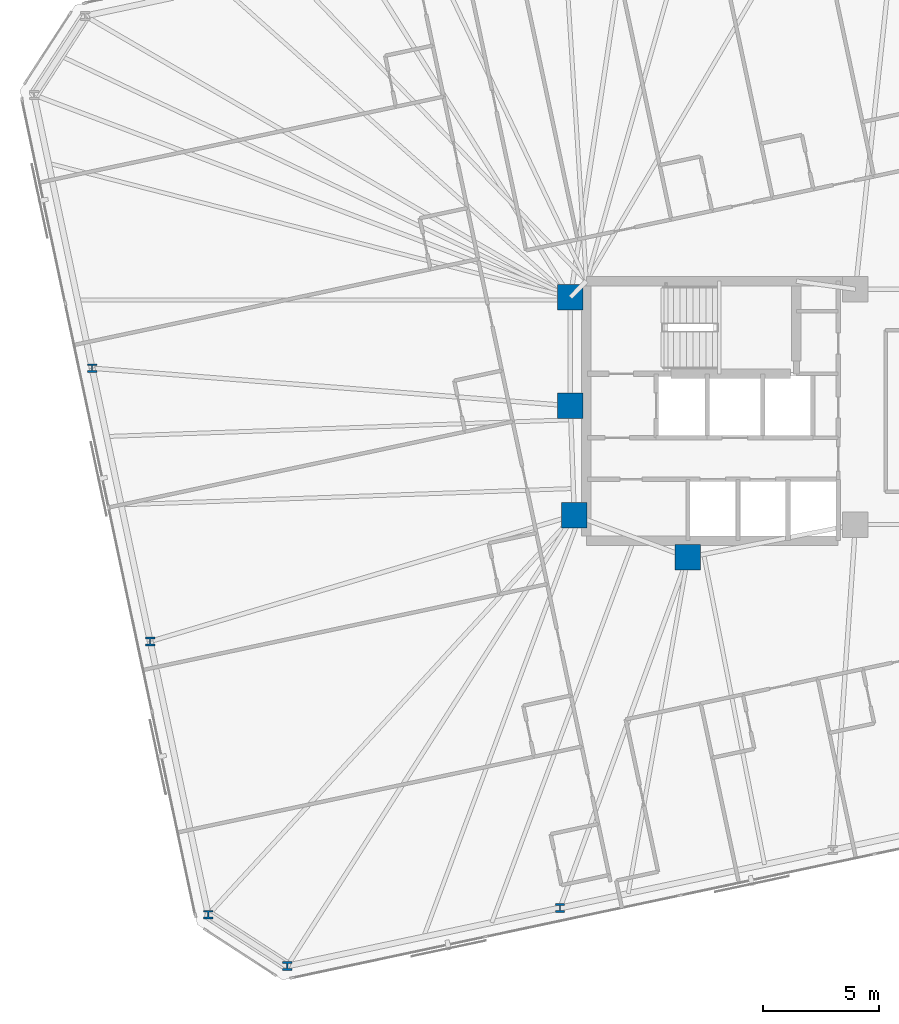
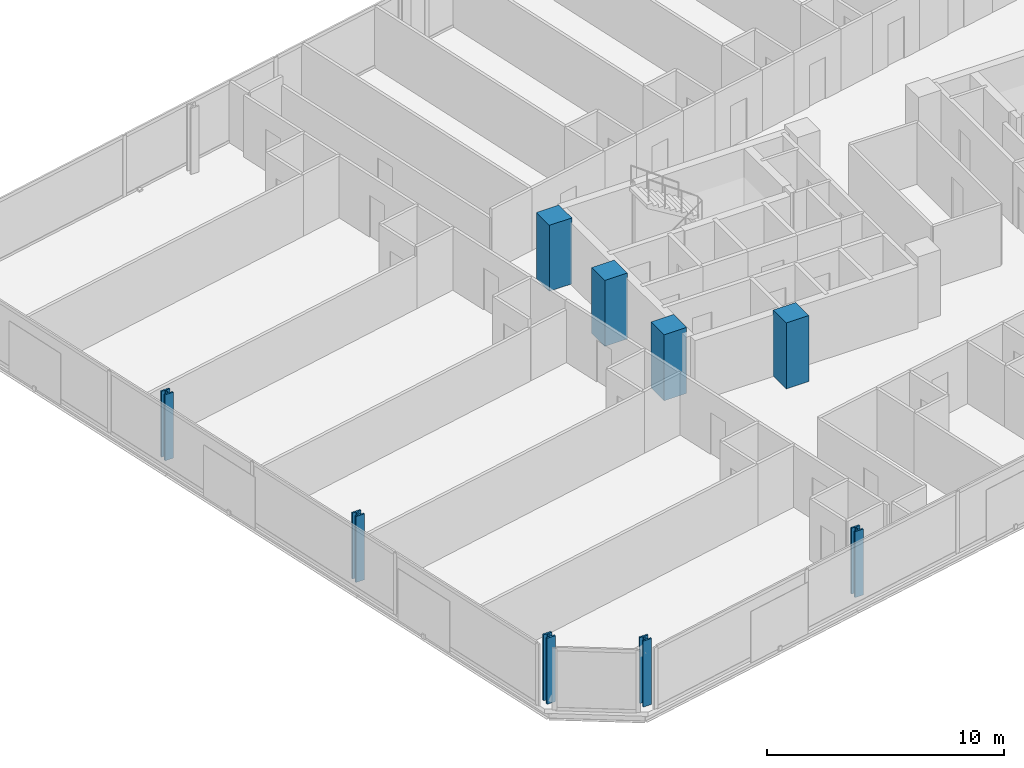
# One storey, part 1 of 20: 9 columns.
"""IFC4 building model written with IfcOpenShell, lengths in metres."""

import ifcopenshell
import ifcopenshell.guid

model = None  # the IFC model being written
_history = None  # IfcOwnerHistory: only IFC2X3 demands one
_inside = {}  # id of a spatial element -> (the spatial element, [elements in it])
_under = {}  # id of a project, library or spatial element -> (it, [spatial elements below it])
_declared = {}  # id of a project -> (the project, [libraries it declares])
_typed = {}  # id of a type object -> (the type object, [elements of that type])
_made_of = {}  # id of a material, layer set ... -> (it, [elements and type objects made of it])


def new_model(schema):
    """Start an empty IFC model of exactly this schema.

    Asked for "IFC4X3", IfcOpenShell would pick the latest addendum, in which some entities
    have other attributes; the version numbers below select the first issue.
    IFC2X3 requires an IfcOwnerHistory on every rooted entity: one is made here for all.
    """
    global model, _history
    if schema == "IFC4X3":
        model = ifcopenshell.file(schema_version=(4, 3, 0, 0))
    else:
        model = ifcopenshell.file(schema=schema)
    _inside.clear()
    _under.clear()
    _declared.clear()
    _typed.clear()
    _made_of.clear()
    _history = None
    if model.schema == "IFC2X3":
        org = make("IfcOrganization", Name="unknown")
        user = make(
            "IfcPersonAndOrganization",
            ThePerson=make("IfcPerson", FamilyName="unknown"),
            TheOrganization=org,
        )
        app = make(
            "IfcApplication",
            ApplicationDeveloper=org,
            Version="unknown",
            ApplicationFullName="unknown",
            ApplicationIdentifier="unknown",
        )
        _history = make(
            "IfcOwnerHistory",
            OwningUser=user,
            OwningApplication=app,
            ChangeAction="ADDED",
            CreationDate=0,
        )
    return model


def make(cls, **values):
    """One entity of the class cls with the attributes given. An attribute that is None is left unset."""
    return model.create_entity(
        cls, **{name: value for name, value in values.items() if value is not None}
    )


def rooted(cls, **values):
    """An entity with a GlobalId (a new one), such as an element, a storey or a relation."""
    return make(cls, GlobalId=ifcopenshell.guid.new(), OwnerHistory=_history, **values)


def si_unit(unit_type, name, prefix=None):
    """IfcSIUnit, for example si_unit("LENGTHUNIT", "METRE", prefix="MILLI")."""
    return make("IfcSIUnit", UnitType=unit_type, Prefix=prefix, Name=name)


def assignment(units):
    """IfcUnitAssignment: the units of a project."""
    return None if units is None else make("IfcUnitAssignment", Units=units)


def point(xyz):
    """IfcCartesianPoint."""
    return None if xyz is None else make("IfcCartesianPoint", Coordinates=xyz)


def direction(xyz):
    """IfcDirection."""
    return None if xyz is None else make("IfcDirection", DirectionRatios=xyz)


def frame(location, z_axis=None, x_axis=None):
    """IfcAxis2Placement3D, a coordinate frame: its origin and axes. An axis left out is left unset."""
    return make(
        "IfcAxis2Placement3D",
        Location=point(location),
        Axis=direction(z_axis),
        RefDirection=direction(x_axis),
    )


def frame_2d(location, x_axis=None):
    """IfcAxis2Placement2D, a coordinate frame in the plane: its origin and x axis."""
    return make(
        "IfcAxis2Placement2D", Location=point(location), RefDirection=direction(x_axis)
    )


def origin():
    """The frame at (0, 0, 0) with its axes left unset."""
    return frame((0.0, 0.0, 0.0))


def origin_2d():
    """The frame at (0, 0) in the plane with its x axis left unset."""
    return frame_2d((0.0, 0.0))


def place(relative_to, where):
    """IfcLocalPlacement: puts the frame where relative to a parent placement (None: the world)."""
    return make(
        "IfcLocalPlacement", PlacementRelTo=relative_to, RelativePlacement=where
    )


def context(
    kind, dimensions, precision=None, world=None, true_north=None, identifier=None
):
    """IfcGeometricRepresentationContext, for example the 3D "Model" context."""
    return make(
        "IfcGeometricRepresentationContext",
        ContextIdentifier=identifier,
        ContextType=kind,
        CoordinateSpaceDimension=dimensions,
        Precision=precision,
        WorldCoordinateSystem=world,
        TrueNorth=true_north,
    )


def subcontext(parent, identifier, kind, view, scale=None):
    """IfcGeometricRepresentationSubContext, for example "Body" below "Model"."""
    return make(
        "IfcGeometricRepresentationSubContext",
        ContextIdentifier=identifier,
        ContextType=kind,
        ParentContext=parent,
        TargetScale=scale,
        TargetView=view,
    )


def project(units=None, contexts=None):
    """IfcProject with its units and contexts."""
    return rooted(
        "IfcProject",
        Name="project",
        RepresentationContexts=contexts,
        UnitsInContext=assignment(units),
    )


def spatial(cls, under=None, at=None, **own):
    """A site, building, storey or space (cls), placed at a placement, below another one or the project."""
    s = rooted(cls, ObjectPlacement=at, **own)
    if under is not None:
        _under.setdefault(under.id(), (under, []))[1].append(s)
    return s


def profile(cls, at=None, kind="AREA", **sizes):
    """A parametric profile (cls). Its sizes go by their IFC names, for example OverallWidth=200.0."""
    return make(cls, ProfileType=kind, Position=at, **sizes)


def rectangle(**sizes):
    """IfcRectangleProfileDef."""
    return profile("IfcRectangleProfileDef", **sizes)


def i_section(**sizes):
    """IfcIShapeProfileDef."""
    return profile("IfcIShapeProfileDef", **sizes)


def extrude(swept, where, along, depth):
    """IfcExtrudedAreaSolid: the profile swept, set in the frame where, extruded along a direction by depth."""
    return make(
        "IfcExtrudedAreaSolid",
        SweptArea=swept,
        Position=where,
        ExtrudedDirection=direction(along),
        Depth=depth,
    )


def shape(context_of_items, identifier, shape_type, items):
    """IfcShapeRepresentation: the items that make up one representation, for example the "Body"."""
    return make(
        "IfcShapeRepresentation",
        ContextOfItems=context_of_items,
        RepresentationIdentifier=identifier,
        RepresentationType=shape_type,
        Items=items,
    )


def material(Name=None, Category=None):
    """IfcMaterial."""
    return make("IfcMaterial", Name=Name, Category=Category)


def material_profile(
    of_material, cross_section, Name=None, Category=None, Priority=None
):
    """IfcMaterialProfile: a cross section and its material."""
    return make(
        "IfcMaterialProfile",
        Name=Name,
        Material=of_material,
        Profile=cross_section,
        Priority=Priority,
        Category=Category,
    )


def profile_set(profiles, Name=None, composite=None):
    """IfcMaterialProfileSet."""
    return make(
        "IfcMaterialProfileSet",
        Name=Name,
        MaterialProfiles=profiles,
        CompositeProfile=composite,
    )


def made_of(thing, what):
    """Note that an element or type object is made of a material, layer set ...; save() writes the relation."""
    if what is not None:
        _made_of.setdefault(what.id(), (what, []))[1].append(thing)
    return thing


def type_object(cls, material=None, **own):
    """A type object (cls), such as IfcWallType, which elements share."""
    return made_of(rooted(cls, **own), material)


def element(
    cls,
    number,
    at=None,
    inside=None,
    cuts=None,
    type_object=None,
    material=None,
    context=None,
    identifier="Body",
    shape_type=None,
    held_by="IfcProductDefinitionShape",
    body=None,
    shapes=None,
    **own,
):
    """One element of the class cls, such as IfcWall. Its Tag is "e" and its number.

    at: its placement. inside: the storey or other place that contains it. cuts: it is an
    opening in that element (IfcRelVoidsElement). A single representation is given by context,
    identifier, shape_type and body (its items); several are given by shapes. held_by: the class
    of the entity that holds the representations. save() writes the other relations.
    """
    e = rooted(cls, Tag="e%d" % number, ObjectPlacement=at, **own)
    if body is not None:
        shapes = [shape(context, identifier, shape_type, body)]
    if shapes is not None:
        e.Representation = make(held_by, Representations=shapes)
    if inside is not None:
        _inside.setdefault(inside.id(), (inside, []))[1].append(e)
    if cuts is not None:
        rooted(
            "IfcRelVoidsElement", RelatingBuildingElement=cuts, RelatedOpeningElement=e
        )
    if type_object is not None:
        _typed.setdefault(type_object.id(), (type_object, []))[1].append(e)
    return made_of(e, material)


def aggregate(whole, parts):
    """IfcRelAggregates: a whole, such as a stair, and the parts it consists of."""
    return rooted("IfcRelAggregates", RelatingObject=whole, RelatedObjects=parts)


def save(model, path):
    """Write the relations noted so far, then the file.

    IfcRelAggregates (storeys below a building ...), IfcRelContainedInSpatialStructure (elements
    in a storey), IfcRelDefinesByType, IfcRelAssociatesMaterial and IfcRelDeclares: one each for
    every whole, place, type object, material and project.
    """
    for whole, parts in _under.values():
        aggregate(whole, parts)
    for where, things in _inside.values():
        rooted(
            "IfcRelContainedInSpatialStructure",
            RelatedElements=things,
            RelatingStructure=where,
        )
    for kind, things in _typed.values():
        rooted("IfcRelDefinesByType", RelatedObjects=things, RelatingType=kind)
    for what, things in _made_of.values():
        rooted("IfcRelAssociatesMaterial", RelatedObjects=things, RelatingMaterial=what)
    for by, libraries in _declared.values():
        rooted("IfcRelDeclares", RelatingContext=by, RelatedDefinitions=libraries)
    model.write(path)


model = new_model("IFC4")

# Units and contexts
model_context = context("Model", 3, precision=1e-05, world=origin(), true_north=direction((0.0, 1.0)))
body_context = subcontext(model_context, "Body", "Model", "MODEL_VIEW")
ifc_project = project(units=[si_unit("LENGTHUNIT", "METRE"), si_unit("AREAUNIT", "SQUARE_METRE"), si_unit("VOLUMEUNIT", "CUBIC_METRE"), si_unit("PLANEANGLEUNIT", "RADIAN"), si_unit("MASSUNIT", "GRAM", prefix="KILO")], contexts=[model_context])

# Site, building, storey
site_placement = place(None, origin())
site = spatial("IfcSite", under=ifc_project, at=site_placement, CompositionType="ELEMENT")
building_placement = place(site_placement, origin())
building = spatial("IfcBuilding", under=site, at=building_placement, Name="Menara Jurai Vektor", CompositionType="ELEMENT")
storey_placement = place(building_placement, frame((0.0, 0.0, 185.39990234375)))
storey = spatial("IfcBuildingStorey", under=building, at=storey_placement, Name="L48", CompositionType="ELEMENT", Elevation=185.39990234375)

# Columns
ifc_material_1 = material(Name="Concrete C50/60", Category="concrete")
ifc_material_profile_1 = material_profile(ifc_material_1, rectangle(XDim=1.10009765625, YDim=1.10009765625, at=origin_2d()), Name="RC 1100x1100")
ifc_profile_set_1 = profile_set([ifc_material_profile_1], Name="Concrete C50/60")
column_type_1 = type_object("IfcColumnType", Name="STR-COL-RC1100", PredefinedType="COLUMN", material=ifc_profile_set_1)
for number, where, z_axis, x_axis, name in (
    (1, (-15.25, 4.89990234375, 0.0), (0.0, 0.0, 1.0), (1.0, 0.0, 0.0), "Core Spine Column CW-NW L48"),
    (2, (-15.25, 0.219970703125, 0.0), (0.0, 0.0, 1.0), (1.0, 0.0, 0.0), "Core Spine Column CW-WM L48"),
    (3, (-15.080078125, -4.5, 0.0), (0.0, 0.0, 1.0), (1.0, 0.0, 0.0), "Core Spine Column CW-SW L48"),
    (4, (-10.179931640625, -6.320068359375, 0.0), (0.0, 0.0, 1.0), (1.0, 0.0, 0.0), "Core Spine Column CW-SM L48"),
):
    element("IfcColumn", number, at=place(storey_placement, frame(where, z_axis=z_axis, x_axis=x_axis)), inside=storey, type_object=column_type_1, Name=name, PredefinedType="COLUMN", context=body_context, shape_type="SweptSolid", body=[
        extrude(rectangle(XDim=1.10009765625, YDim=1.10009765625, at=origin_2d()), origin(), (0.0, 0.0, 1.0), 3.400146484375),
    ])
ifc_material_2 = material(Name="Steel S460", Category="steel")
ifc_material_profile_2 = material_profile(ifc_material_2, i_section(OverallWidth=0.408935546875, OverallDepth=0.3740234375, WebThickness=0.048095703125, FlangeThickness=0.076904296875, FilletRadius=0.014892578125, at=origin_2d()), Name="HD 400x634")
ifc_profile_set_2 = profile_set([ifc_material_profile_2], Name="Steel S460")
column_type_2 = type_object("IfcColumnType", Name="STR-EXO-BLK3", PredefinedType="COLUMN", material=ifc_profile_set_2)
for number, where, z_axis, x_axis, name in (
    (5, (-27.46484375, -23.94580078125, 0.0), (0.0, 0.0, 1.0), (1.0, 0.0, 0.0), "Exoskeleton Column BLK3-S1 L48"),
    (6, (-15.696533203125, -21.4443359375, 0.0), (0.0, 0.0, 1.0), (1.0, 0.0, 0.0), "Exoskeleton Column BLK3-S2 L48"),
    (7, (-35.8828125, 1.843505859375, 0.0), (0.0, 0.0, 1.0), (1.0, 0.0, 0.0), "Exoskeleton Column BLK3-W2 L48"),
    (8, (-33.377197265625, -9.945068359375, 0.0), (0.0, 0.0, 1.0), (1.0, 0.0, 0.0), "Exoskeleton Column BLK3-W3 L48"),
    (9, (-30.871337890625, -21.7333984375, 0.0), (0.0, 0.0, 1.0), (1.0, 0.0, 0.0), "Exoskeleton Column BLK3-W4 L48"),
):
    element("IfcColumn", number, at=place(storey_placement, frame(where, z_axis=z_axis, x_axis=x_axis)), inside=storey, type_object=column_type_2, Name=name, PredefinedType="COLUMN", context=body_context, shape_type="SweptSolid", body=[
        extrude(i_section(OverallWidth=0.408935546875, OverallDepth=0.3740234375, WebThickness=0.048095703125, FlangeThickness=0.076904296875, FilletRadius=0.014892578125, at=origin_2d()), origin(), (0.0, 0.0, 1.0), 3.400146484375),
    ])

save(model, "model.ifc")
